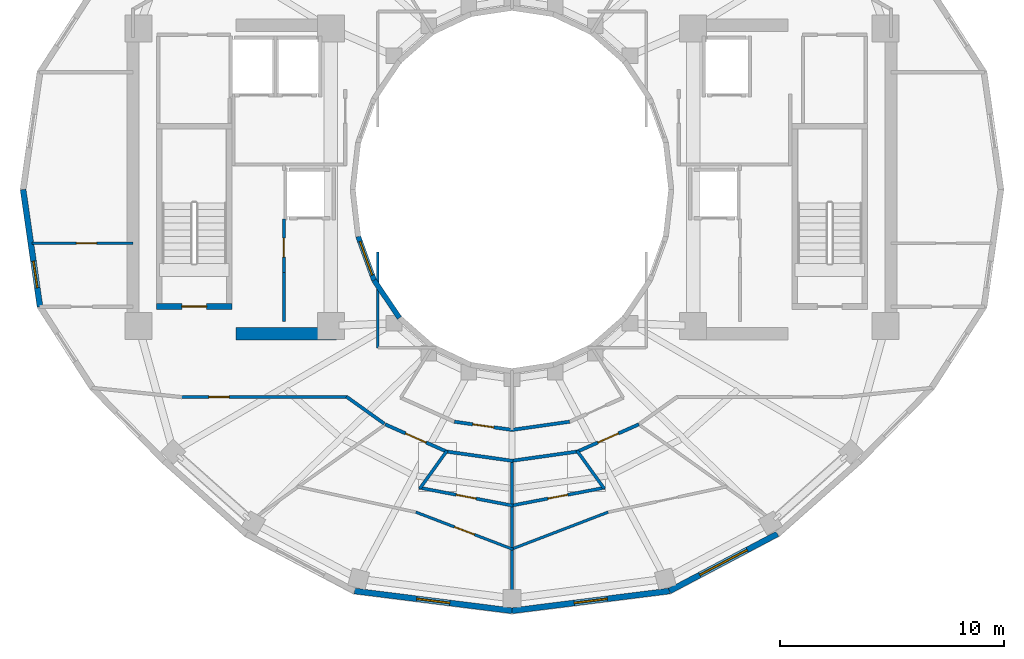
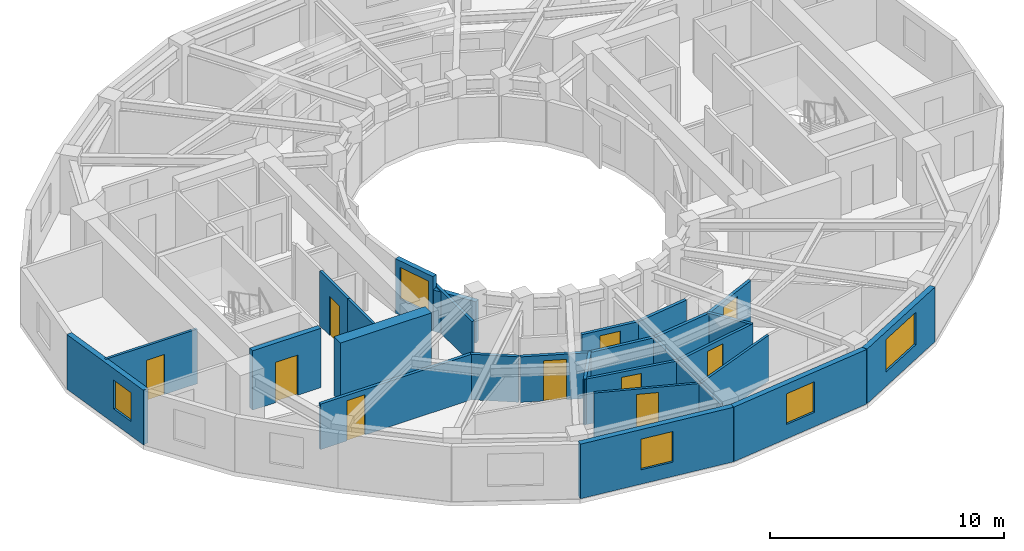
# One storey, part 3 of 9: 27 walls, 10 doors, 5 windows, 15 openings.
"""IFC4 building model written with IfcOpenShell, lengths in metres."""

from ifc_helpers import new_model, si_unit, direction, frame, frame_2d, origin, place, context, subcontext, project, spatial, rectangle, extrude, material, layer, layer_set, type_object, element, fill, save


model = new_model("IFC4")

# Units and contexts
model_context = context("Model", 3, precision=1e-05, world=origin(), true_north=direction((0.0, 1.0)))
body_context = subcontext(model_context, "Body", "Model", "MODEL_VIEW")
ifc_project = project(units=[si_unit("LENGTHUNIT", "METRE"), si_unit("AREAUNIT", "SQUARE_METRE"), si_unit("VOLUMEUNIT", "CUBIC_METRE"), si_unit("PLANEANGLEUNIT", "RADIAN"), si_unit("MASSUNIT", "GRAM", prefix="KILO")], contexts=[model_context])

# Site, building, storey
site_placement = place(None, origin())
site = spatial("IfcSite", under=ifc_project, at=site_placement, CompositionType="ELEMENT")
building_placement = place(site_placement, origin())
building = spatial("IfcBuilding", under=site, at=building_placement, Name="Solvane Sanctuary Tower", CompositionType="ELEMENT")
storey_placement = place(building_placement, frame((0.0, 0.0, 223.300048828125)))
storey = spatial("IfcBuildingStorey", under=building, at=storey_placement, Name="L68", CompositionType="ELEMENT", Elevation=223.300048828125)

# Wall
ifc_material_1 = material(Name="Concrete C50/60", Category="concrete")
ifc_layer_1 = layer(ifc_material_1, 0.550048828125, Name="Concrete C50/60")
ifc_layer_set_1 = layer_set([ifc_layer_1], Name="Concrete C50/60")
wall_type_1 = type_object("IfcWallType", Name="Wall W-CORE-550", PredefinedType="SHEAR", material=ifc_layer_set_1)
wall_1_placement = place(storey_placement, frame((19.64990234375, 16.550048828125, 0.0), z_axis=(0.0, 0.0, 1.0), x_axis=(1.0, 0.0, 0.0)))
element("IfcWall", 1, at=wall_1_placement, inside=storey, type_object=wall_type_1, Name="L68 Core Shear Wall WC-S", PredefinedType="SHEAR", context=body_context, shape_type="SweptSolid", body=[
    extrude(rectangle(XDim=4.5, YDim=0.550048828125, at=frame_2d((2.25, 0.0))), origin(), (0.0, 0.0, 1.0), 3.099853515625),
])

# Wall, opening, door
ifc_material_2 = material(Name="Acoustic Gypsum Partition Board")
ifc_layer_2 = layer(ifc_material_2, 0.14990234375, Name="Acoustic Gypsum Partition Board")
ifc_layer_set_2 = layer_set([ifc_layer_2], Name="Acoustic Gypsum Partition Board")
wall_type_2 = type_object("IfcWallType", Name="Wall W-CORR-150", PredefinedType="PARTITIONING", material=ifc_layer_set_2)
wall_2_placement = place(storey_placement, frame((29.423095703125, 12.61669921875, 0.0), z_axis=(0.0, 0.0, 1.0), x_axis=(0.990078185178, -0.140517569133, 0.0)))
wall_2 = element("IfcWall", 2, at=wall_2_placement, inside=storey, type_object=wall_type_2, Name="L68 South Light-Well Corridor Wall 1", PredefinedType="PARTITIONING", context=body_context, shape_type="SweptSolid", body=[
    extrude(rectangle(XDim=2.609619140625, YDim=0.14990234375, at=frame_2d((1.3046875, 0.0))), origin(), (0.0, 0.0, 1.0), 2.3759765625),
])
opening_1_placement = place(wall_2_placement, frame((0.829833984375, 0.0, 0.0)))
opening_1 = element("IfcOpeningElement", 3, at=opening_1_placement, cuts=wall_2, Name="Opening D-L68-11", PredefinedType="OPENING", context=body_context, shape_type="SweptSolid", body=[
    extrude(rectangle(XDim=0.949951171875, YDim=2.10009765625, at=frame_2d((0.47509765625, 1.050048828125))), frame((0.0, 0.0849609375, 0.0), z_axis=(0.0, -1.0, 0.0), x_axis=(1.0, 0.0, 0.0)), (0.0, 0.0, 1.0), 0.169921875),
])
ifc_material_3 = material(Name="Engineered Tropical Hardwood", Category="wood")
door_type_1 = type_object("IfcDoorType", Name="Door D-ROOM-950", OperationType="NOTDEFINED", PredefinedType="DOOR", material=ifc_material_3)
door_1_placement = place(opening_1_placement, origin())
door_1 = element("IfcDoor", 4, at=door_1_placement, inside=storey, type_object=door_type_1, Name="L68 South Light-Well Alcove Door 1", OperationType="SINGLE_SWING_RIGHT", OverallHeight=2.10009765625, OverallWidth=0.949951171875, PredefinedType="DOOR", context=body_context, shape_type="SweptSolid", body=[
    extrude(rectangle(XDim=0.949951171875, YDim=2.10009765625, at=frame_2d((0.47509765625, 1.050048828125))), frame((0.0, 0.02490234375, 0.0), z_axis=(0.0, -1.0, 0.0), x_axis=(1.0, 0.0, 0.0)), (0.0, 0.0, 1.0), 0.050048828125),
])
fill(opening_1, door_1)

# Walls
wall_3_placement = place(storey_placement, frame((31.9931640625, 12.25, 0.0), z_axis=(0.0, 0.0, 1.0), x_axis=(0.990078185178, 0.140517569133, 0.0)))
element("IfcWall", 5, at=wall_3_placement, inside=storey, type_object=wall_type_2, Name="L68 South Light-Well Corridor Wall 2", PredefinedType="PARTITIONING", context=body_context, shape_type="SweptSolid", body=[
    extrude(rectangle(XDim=2.609619140625, YDim=0.14990234375, at=frame_2d((1.3046875, 0.0))), origin(), (0.0, 0.0, 1.0), 2.3759765625),
])
wall_4_placement = place(storey_placement, frame((26.290283203125, 12.527099609375, 0.0), z_axis=(0.0, 0.0, 1.0), x_axis=(-0.813780999276, 0.581171648669, 0.0)))
element("IfcWall", 6, at=wall_4_placement, inside=storey, type_object=wall_type_2, Name="L68 SW Corner Throat Wall", PredefinedType="PARTITIONING", context=body_context, shape_type="SweptSolid", body=[
    extrude(rectangle(XDim=2.082275390625, YDim=0.14990234375, at=frame_2d((1.041015625, 0.0))), origin(), (0.0, 0.0, 1.0), 2.3759765625),
])

# Wall, opening, door
wall_5_placement = place(storey_placement, frame((17.14990234375, 13.719970703125, 0.0), z_axis=(0.0, 0.0, 1.0), x_axis=(1.0, 0.0, 0.0)))
wall_5 = element("IfcWall", 7, at=wall_5_placement, inside=storey, type_object=wall_type_2, Name="L68 SW Corner Corridor Wall", PredefinedType="PARTITIONING", context=body_context, shape_type="SweptSolid", body=[
    extrude(rectangle(XDim=7.52001953125, YDim=0.14990234375, at=frame_2d((3.760009765625, 0.0))), origin(), (0.0, 0.0, 1.0), 2.3759765625),
])
opening_2_placement = place(wall_5_placement, frame((1.300048828125, 0.0, 0.0)))
opening_2 = element("IfcOpeningElement", 8, at=opening_2_placement, cuts=wall_5, Name="Opening D-L68-20", PredefinedType="OPENING", context=body_context, shape_type="SweptSolid", body=[
    extrude(rectangle(XDim=0.89990234375, YDim=2.10009765625, at=frame_2d((0.449951171875, 1.050048828125))), frame((0.0, 0.0849609375, 0.0), z_axis=(0.0, -1.0, 0.0), x_axis=(1.0, 0.0, 0.0)), (0.0, 0.0, 1.0), 0.169921875),
])
door_type_2 = type_object("IfcDoorType", Name="Door D-WET-900", OperationType="NOTDEFINED", PredefinedType="DOOR", material=ifc_material_3)
door_2_placement = place(opening_2_placement, origin())
door_2 = element("IfcDoor", 9, at=door_2_placement, inside=storey, type_object=door_type_2, Name="L68 SW Corner Salon Door", OperationType="SINGLE_SWING_LEFT", OverallHeight=2.10009765625, OverallWidth=0.89990234375, PredefinedType="DOOR", context=body_context, shape_type="SweptSolid", body=[
    extrude(rectangle(XDim=0.89990234375, YDim=2.10009765625, at=frame_2d((0.449951171875, 1.050048828125))), frame((0.0, 0.02490234375, 0.0), z_axis=(0.0, -1.0, 0.0), x_axis=(1.0, 0.0, 0.0)), (0.0, 0.0, 1.0), 0.050048828125),
])
fill(opening_2, door_2)

# Wall
wall_6_placement = place(storey_placement, frame((29.01806640625, 11.290283203125, 0.0), z_axis=(0.0, 0.0, 1.0), x_axis=(0.990214091671, -0.13955662885, 0.0)))
element("IfcWall", 10, at=wall_6_placement, inside=storey, type_object=wall_type_2, Name="L68 En-suite Inner Wall S1", PredefinedType="PARTITIONING", context=body_context, shape_type="SweptSolid", body=[
    extrude(rectangle(XDim=3.0615234375, YDim=0.14990234375, at=frame_2d((1.53076171875, 0.0))), origin(), (0.0, 0.0, 1.0), 2.3759765625),
])

# Wall, opening, door
wall_7_placement = place(storey_placement, frame((26.328125, 12.499267578125, 0.0), z_axis=(0.0, 0.0, 1.0), x_axis=(0.914139569865, -0.405399613724, 0.0)))
wall_7 = element("IfcWall", 11, at=wall_7_placement, inside=storey, type_object=wall_type_2, Name="L68 Unit Corridor Wall S1", PredefinedType="PARTITIONING", context=body_context, shape_type="SweptSolid", body=[
    extrude(rectangle(XDim=3.005126953125, YDim=0.14990234375, at=frame_2d((1.50244140625, 0.0))), origin(), (0.0, 0.0, 1.0), 2.3759765625),
])
opening_3_placement = place(wall_7_placement, frame((1.00244140625, 0.0, 0.0)))
opening_3 = element("IfcOpeningElement", 12, at=opening_3_placement, cuts=wall_7, Name="Opening D-L68-29", PredefinedType="OPENING", context=body_context, shape_type="SweptSolid", body=[
    extrude(rectangle(XDim=1.0, YDim=2.10009765625, at=frame_2d((0.5, 1.050048828125))), frame((0.0, 0.0849609375, 0.0), z_axis=(0.0, -1.0, 0.0), x_axis=(1.0, 0.0, 0.0)), (0.0, 0.0, 1.0), 0.169921875),
])
door_type_3 = type_object("IfcDoorType", Name="Door D-UNIT", OperationType="NOTDEFINED", PredefinedType="DOOR", material=ifc_material_3)
door_3_placement = place(opening_3_placement, origin())
door_3 = element("IfcDoor", 13, at=door_3_placement, inside=storey, type_object=door_type_3, Name="L68 Unit Entrance Door S1", OperationType="SINGLE_SWING_RIGHT", OverallHeight=2.10009765625, OverallWidth=1.0, PredefinedType="DOOR", context=body_context, shape_type="SweptSolid", body=[
    extrude(rectangle(XDim=1.0, YDim=2.10009765625, at=frame_2d((0.5, 1.050048828125))), frame((0.0, 0.02490234375, 0.0), z_axis=(0.0, -1.0, 0.0), x_axis=(1.0, 0.0, 0.0)), (0.0, 0.0, 1.0), 0.050048828125),
])
fill(opening_3, door_3)

# Wall
wall_8_placement = place(storey_placement, frame((31.950439453125, 10.863037109375, 0.0), z_axis=(0.0, 0.0, 1.0), x_axis=(0.990214091671, 0.13955662885, 0.0)))
element("IfcWall", 14, at=wall_8_placement, inside=storey, type_object=wall_type_2, Name="L68 En-suite Inner Wall S2", PredefinedType="PARTITIONING", context=body_context, shape_type="SweptSolid", body=[
    extrude(rectangle(XDim=3.0615234375, YDim=0.14990234375, at=frame_2d((1.53076171875, 0.0))), origin(), (0.0, 0.0, 1.0), 2.3759765625),
])

# Wall, opening, door
wall_9_placement = place(storey_placement, frame((34.9248046875, 11.281005859375, 0.0), z_axis=(0.0, 0.0, 1.0), x_axis=(0.914139569865, 0.405399613724, 0.0)))
wall_9 = element("IfcWall", 15, at=wall_9_placement, inside=storey, type_object=wall_type_2, Name="L68 Unit Corridor Wall S2", PredefinedType="PARTITIONING", context=body_context, shape_type="SweptSolid", body=[
    extrude(rectangle(XDim=3.005126953125, YDim=0.14990234375, at=frame_2d((1.50244140625, 0.0))), origin(), (0.0, 0.0, 1.0), 2.3759765625),
])
opening_4_placement = place(wall_9_placement, frame((1.00244140625, 0.0, 0.0)))
opening_4 = element("IfcOpeningElement", 16, at=opening_4_placement, cuts=wall_9, Name="Opening D-L68-32", PredefinedType="OPENING", context=body_context, shape_type="SweptSolid", body=[
    extrude(rectangle(XDim=1.0, YDim=2.10009765625, at=frame_2d((0.5, 1.050048828125))), frame((0.0, 0.0849609375, 0.0), z_axis=(0.0, -1.0, 0.0), x_axis=(1.0, 0.0, 0.0)), (0.0, 0.0, 1.0), 0.169921875),
])
door_4_placement = place(opening_4_placement, origin())
door_4 = element("IfcDoor", 17, at=door_4_placement, inside=storey, type_object=door_type_3, Name="L68 Unit Entrance Door S2", OperationType="SINGLE_SWING_LEFT", OverallHeight=2.10009765625, OverallWidth=1.0, PredefinedType="DOOR", context=body_context, shape_type="SweptSolid", body=[
    extrude(rectangle(XDim=1.0, YDim=2.10009765625, at=frame_2d((0.5, 1.050048828125))), frame((0.0, 0.02490234375, 0.0), z_axis=(0.0, -1.0, 0.0), x_axis=(1.0, 0.0, 0.0)), (0.0, 0.0, 1.0), 0.050048828125),
])
fill(opening_4, door_4)

# Wall, opening, window
ifc_material_4 = material(Name="Precast concrete C40/50", Category="concrete")
ifc_layer_3 = layer(ifc_material_4, 0.260009765625, Name="Precast concrete C40/50")
ifc_layer_set_3 = layer_set([ifc_layer_3], Name="Precast concrete C40/50")
wall_type_3 = type_object("IfcWallType", Name="Wall W-EXT-250", PredefinedType="STANDARD", material=ifc_layer_set_3)
wall_10_placement = place(storey_placement, frame((10.139892578125, 23.0, 0.0), z_axis=(0.0, 0.0, 1.0), x_axis=(0.142712754019, -0.989764148593, 0.0)))
wall_10 = element("IfcWall", 18, at=wall_10_placement, inside=storey, type_object=wall_type_3, Name="L68 Ceramic-Printed Facade Wall 12", PredefinedType="STANDARD", context=body_context, shape_type="SweptSolid", body=[
    extrude(rectangle(XDim=5.29296875, YDim=0.260009765625, at=frame_2d((2.646484375, 0.0))), origin(), (0.0, 0.0, 1.0), 2.849853515625),
])
opening_5_placement = place(wall_10_placement, frame((3.23388671875, 0.0, 0.75)))
opening_5 = element("IfcOpeningElement", 19, at=opening_5_placement, cuts=wall_10, Name="Opening WN-OPER-1200", PredefinedType="OPENING", context=body_context, shape_type="SweptSolid", body=[
    extrude(rectangle(XDim=1.199951171875, YDim=1.5, at=frame_2d((0.60009765625, 0.75))), frame((0.0, 0.139892578125, 0.0), z_axis=(0.0, -1.0, 0.0), x_axis=(1.0, 0.0, 0.0)), (0.0, 0.0, 1.0), 0.280029296875),
])
ifc_material_5 = material(Name="Dark Ceramic-Fritted Low-E Glass", Category="glass")
window_type_1 = type_object("IfcWindowType", Name="Window WN-OPER-1200", PartitioningType="SINGLE_PANEL", PredefinedType="WINDOW", material=ifc_material_5)
window_1_placement = place(opening_5_placement, origin())
window_1 = element("IfcWindow", 20, at=window_1_placement, inside=storey, type_object=window_type_1, Name="L68 Operable Facade Window 12", OverallHeight=1.5, OverallWidth=1.199951171875, PartitioningType="SINGLE_PANEL", PredefinedType="WINDOW", context=body_context, shape_type="SweptSolid", body=[
    extrude(rectangle(XDim=1.199951171875, YDim=1.5, at=frame_2d((0.60009765625, 0.75))), frame((0.0, 0.030029296875, 0.0), z_axis=(0.0, -1.0, 0.0), x_axis=(1.0, 0.0, 0.0)), (0.0, 0.0, 1.0), 0.06005859375),
])
fill(opening_5, window_1)

wall_11_placement = place(storey_placement, frame((24.95703125, 5.048095703125, 0.0), z_axis=(0.0, 0.0, 1.0), x_axis=(0.992180211307, -0.124813574142, 0.0)))
wall_11 = element("IfcWall", 21, at=wall_11_placement, inside=storey, type_object=wall_type_3, Name="L68 Ceramic-Printed Facade Wall 17", PredefinedType="STANDARD", context=body_context, shape_type="SweptSolid", body=[
    extrude(rectangle(XDim=7.098388671875, YDim=0.260009765625, at=frame_2d((3.54931640625, 0.0))), origin(), (0.0, 0.0, 1.0), 2.849853515625),
])
opening_6_placement = place(wall_11_placement, frame((2.79931640625, 0.0, 0.75)))
opening_6 = element("IfcOpeningElement", 22, at=opening_6_placement, cuts=wall_11, Name="Opening WN-OPER-1500", PredefinedType="OPENING", context=body_context, shape_type="SweptSolid", body=[
    extrude(rectangle(XDim=1.5, YDim=1.60009765625, at=frame_2d((0.75, 0.800048828125))), frame((0.0, 0.139892578125, 0.0), z_axis=(0.0, -1.0, 0.0), x_axis=(1.0, 0.0, 0.0)), (0.0, 0.0, 1.0), 0.280029296875),
])
window_type_2 = type_object("IfcWindowType", Name="Window WN-OPER-1500", PartitioningType="SINGLE_PANEL", PredefinedType="WINDOW", material=ifc_material_5)
window_2_placement = place(opening_6_placement, origin())
window_2 = element("IfcWindow", 23, at=window_2_placement, inside=storey, type_object=window_type_2, Name="L68 Operable Facade Window 17", OverallHeight=1.60009765625, OverallWidth=1.5, PartitioningType="SINGLE_PANEL", PredefinedType="WINDOW", context=body_context, shape_type="SweptSolid", body=[
    extrude(rectangle(XDim=1.5, YDim=1.60009765625, at=frame_2d((0.75, 0.800048828125))), frame((0.0, 0.030029296875, 0.0), z_axis=(0.0, -1.0, 0.0), x_axis=(1.0, 0.0, 0.0)), (0.0, 0.0, 1.0), 0.06005859375),
])
fill(opening_6, window_2)

wall_12_placement = place(storey_placement, frame((32.0, 4.162109375, 0.0), z_axis=(0.0, 0.0, 1.0), x_axis=(0.992180211307, 0.124813574142, 0.0)))
wall_12 = element("IfcWall", 24, at=wall_12_placement, inside=storey, type_object=wall_type_3, Name="L68 Ceramic-Printed Facade Wall 18", PredefinedType="STANDARD", context=body_context, shape_type="SweptSolid", body=[
    extrude(rectangle(XDim=7.098388671875, YDim=0.260009765625, at=frame_2d((3.54931640625, 0.0))), origin(), (0.0, 0.0, 1.0), 2.849853515625),
])
opening_7_placement = place(wall_12_placement, frame((2.79931640625, 0.0, 0.75)))
opening_7 = element("IfcOpeningElement", 25, at=opening_7_placement, cuts=wall_12, Name="Opening WN-OPER-1500", PredefinedType="OPENING", context=body_context, shape_type="SweptSolid", body=[
    extrude(rectangle(XDim=1.5, YDim=1.60009765625, at=frame_2d((0.75, 0.800048828125))), frame((0.0, 0.139892578125, 0.0), z_axis=(0.0, -1.0, 0.0), x_axis=(1.0, 0.0, 0.0)), (0.0, 0.0, 1.0), 0.280029296875),
])
window_3_placement = place(opening_7_placement, origin())
window_3 = element("IfcWindow", 26, at=window_3_placement, inside=storey, type_object=window_type_2, Name="L68 Operable Facade Window 18", OverallHeight=1.60009765625, OverallWidth=1.5, PartitioningType="SINGLE_PANEL", PredefinedType="WINDOW", context=body_context, shape_type="SweptSolid", body=[
    extrude(rectangle(XDim=1.5, YDim=1.60009765625, at=frame_2d((0.75, 0.800048828125))), frame((0.0, 0.030029296875, 0.0), z_axis=(0.0, -1.0, 0.0), x_axis=(1.0, 0.0, 0.0)), (0.0, 0.0, 1.0), 0.06005859375),
])
fill(opening_7, window_3)

wall_13_placement = place(storey_placement, frame((39.04296875, 5.048095703125, 0.0), z_axis=(0.0, 0.0, 1.0), x_axis=(0.884000981341, 0.46748504253, 0.0)))
wall_13 = element("IfcWall", 27, at=wall_13_placement, inside=storey, type_object=wall_type_3, Name="L68 Ceramic-Printed Facade Wall 19", PredefinedType="STANDARD", context=body_context, shape_type="SweptSolid", body=[
    extrude(rectangle(XDim=5.46044921875, YDim=0.260009765625, at=frame_2d((2.730224609375, 0.0))), origin(), (0.0, 0.0, 1.0), 2.849853515625),
])
opening_8_placement = place(wall_13_placement, frame((1.5302734375, 0.0, 0.75)))
opening_8 = element("IfcOpeningElement", 28, at=opening_8_placement, cuts=wall_13, Name="Opening WN-RIB-2400", PredefinedType="OPENING", context=body_context, shape_type="SweptSolid", body=[
    extrude(rectangle(XDim=2.39990234375, YDim=1.699951171875, at=frame_2d((1.199951171875, 0.85009765625))), frame((0.0, 0.139892578125, 0.0), z_axis=(0.0, -1.0, 0.0), x_axis=(1.0, 0.0, 0.0)), (0.0, 0.0, 1.0), 0.280029296875),
])
window_type_3 = type_object("IfcWindowType", Name="Window WN-RIB-2400", PartitioningType="SINGLE_PANEL", PredefinedType="WINDOW", material=ifc_material_5)
window_4_placement = place(opening_8_placement, origin())
window_4 = element("IfcWindow", 29, at=window_4_placement, inside=storey, type_object=window_type_3, Name="L68 Operable Facade Window 19", OverallHeight=1.699951171875, OverallWidth=2.39990234375, PartitioningType="SINGLE_PANEL", PredefinedType="WINDOW", context=body_context, shape_type="SweptSolid", body=[
    extrude(rectangle(XDim=2.39990234375, YDim=1.699951171875, at=frame_2d((1.199951171875, 0.85009765625))), frame((0.0, 0.030029296875, 0.0), z_axis=(0.0, -1.0, 0.0), x_axis=(1.0, 0.0, 0.0)), (0.0, 0.0, 1.0), 0.06005859375),
])
fill(opening_8, window_4)

ifc_layer_4 = layer(ifc_material_4, 0.22998046875, Name="Precast concrete C40/50")
ifc_layer_set_4 = layer_set([ifc_layer_4], Name="Precast concrete C40/50")
wall_type_4 = type_object("IfcWallType", Name="Wall W-EXT-SP220", PredefinedType="STANDARD", material=ifc_layer_set_4)
wall_14_placement = place(storey_placement, frame((25.12255859375, 20.8984375, 0.0), z_axis=(0.0, 0.0, 1.0), x_axis=(0.341423187295, -0.93990968033, 0.0)))
wall_14 = element("IfcWall", 30, at=wall_14_placement, inside=storey, type_object=wall_type_4, Name="L68 Central Light-Well Wall 13", PredefinedType="STANDARD", context=body_context, shape_type="SweptSolid", body=[
    extrude(rectangle(XDim=2.083740234375, YDim=0.22998046875, at=frame_2d((1.0419921875, 0.0))), origin(), (0.0, 0.0, 1.0), 2.83984375),
])
opening_9_placement = place(wall_14_placement, frame((0.24169921875, 0.0, 0.85009765625)))
opening_9 = element("IfcOpeningElement", 31, at=opening_9_placement, cuts=wall_14, Name="Opening WN-WELL-1600", PredefinedType="OPENING", context=body_context, shape_type="SweptSolid", body=[
    extrude(rectangle(XDim=1.60009765625, YDim=1.64990234375, at=frame_2d((0.800048828125, 0.824951171875))), frame((0.0, 0.125, 0.0), z_axis=(0.0, -1.0, 0.0), x_axis=(1.0, 0.0, 0.0)), (0.0, 0.0, 1.0), 0.25),
])
ifc_material_6 = material(Name="Clear Laminated Light-Well Glass", Category="glass")
window_type_4 = type_object("IfcWindowType", Name="Window WN-WELL-1600", PartitioningType="SINGLE_PANEL", PredefinedType="WINDOW", material=ifc_material_6)
window_5_placement = place(opening_9_placement, origin())
window_5 = element("IfcWindow", 32, at=window_5_placement, inside=storey, type_object=window_type_4, Name="L68 Light-Well Daylight Window 13", OverallHeight=1.64990234375, OverallWidth=1.60009765625, PartitioningType="SINGLE_PANEL", PredefinedType="WINDOW", context=body_context, shape_type="SweptSolid", body=[
    extrude(rectangle(XDim=1.60009765625, YDim=1.64990234375, at=frame_2d((0.800048828125, 0.824951171875))), frame((0.0, 0.030029296875, 0.0), z_axis=(0.0, -1.0, 0.0), x_axis=(1.0, 0.0, 0.0)), (0.0, 0.0, 1.0), 0.06005859375),
])
fill(opening_9, window_5)

# Wall
wall_15_placement = place(storey_placement, frame((25.833984375, 18.93994140625, 0.0), z_axis=(0.0, 0.0, 1.0), x_axis=(0.558197800898, -0.829707909492, 0.0)))
element("IfcWall", 33, at=wall_15_placement, inside=storey, type_object=wall_type_4, Name="L68 Central Light-Well Wall 14", PredefinedType="STANDARD", context=body_context, shape_type="SweptSolid", body=[
    extrude(rectangle(XDim=2.02685546875, YDim=0.22998046875, at=frame_2d((1.013427734375, 0.0))), origin(), (0.0, 0.0, 1.0), 2.159912109375),
])

# Wall, opening, door
ifc_layer_5 = layer(ifc_material_2, 0.1201171875, Name="Acoustic Gypsum Partition Board")
ifc_layer_set_5 = layer_set([ifc_layer_5], Name="Acoustic Gypsum Partition Board")
wall_type_5 = type_object("IfcWallType", Name="Wall W-MOV-100", PredefinedType="MOVABLE", material=ifc_layer_set_5)
wall_16_placement = place(storey_placement, frame((10.525634765625, 20.60009765625, 0.0), z_axis=(0.0, 0.0, 1.0), x_axis=(1.0, 0.0, 0.0)))
wall_16 = element("IfcWall", 34, at=wall_16_placement, inside=storey, type_object=wall_type_5, Name="L68 West Suite Partition", PredefinedType="MOVABLE", context=body_context, shape_type="SweptSolid", body=[
    extrude(rectangle(XDim=4.5244140625, YDim=0.1201171875, at=frame_2d((2.26220703125, 0.0))), origin(), (0.0, 0.0, 1.0), 2.85498046875),
])
opening_10_placement = place(wall_16_placement, frame((2.0, 0.0, 0.0)))
opening_10 = element("IfcOpeningElement", 35, at=opening_10_placement, cuts=wall_16, Name="Opening D-L68-16", PredefinedType="OPENING", context=body_context, shape_type="SweptSolid", body=[
    extrude(rectangle(XDim=0.89990234375, YDim=2.10009765625, at=frame_2d((0.449951171875, 1.050048828125))), frame((0.0, 0.070068359375, 0.0), z_axis=(0.0, -1.0, 0.0), x_axis=(1.0, 0.0, 0.0)), (0.0, 0.0, 1.0), 0.14013671875),
])
door_5_placement = place(opening_10_placement, origin())
door_5 = element("IfcDoor", 36, at=door_5_placement, inside=storey, type_object=door_type_2, Name="L68 West Suite Internal Door", OperationType="SINGLE_SWING_LEFT", OverallHeight=2.10009765625, OverallWidth=0.89990234375, PredefinedType="DOOR", context=body_context, shape_type="SweptSolid", body=[
    extrude(rectangle(XDim=0.89990234375, YDim=2.10009765625, at=frame_2d((0.449951171875, 1.050048828125))), frame((0.0, 0.02490234375, 0.0), z_axis=(0.0, -1.0, 0.0), x_axis=(1.0, 0.0, 0.0)), (0.0, 0.0, 1.0), 0.050048828125),
])
fill(opening_10, door_5)

wall_17_placement = place(storey_placement, frame((27.70166015625, 8.5732421875, 0.0), z_axis=(0.0, 0.0, 1.0), x_axis=(0.933766866443, -0.357881878744, 0.0)))
wall_17 = element("IfcWall", 37, at=wall_17_placement, inside=storey, type_object=wall_type_5, Name="L68 Suite Sitting Lounge Partition S1", PredefinedType="MOVABLE", context=body_context, shape_type="SweptSolid", body=[
    extrude(rectangle(XDim=4.653076171875, YDim=0.1201171875, at=frame_2d((2.32666015625, 0.0))), origin(), (0.0, 0.0, 1.0), 2.3759765625),
])
opening_11_placement = place(wall_17_placement, frame((1.8515625, 0.0, 0.0)))
opening_11 = element("IfcOpeningElement", 38, at=opening_11_placement, cuts=wall_17, Name="Opening D-L68-27", PredefinedType="OPENING", context=body_context, shape_type="SweptSolid", body=[
    extrude(rectangle(XDim=0.949951171875, YDim=2.10009765625, at=frame_2d((0.47509765625, 1.050048828125))), frame((0.0, 0.070068359375, 0.0), z_axis=(0.0, -1.0, 0.0), x_axis=(1.0, 0.0, 0.0)), (0.0, 0.0, 1.0), 0.14013671875),
])
door_6_placement = place(opening_11_placement, origin())
door_6 = element("IfcDoor", 39, at=door_6_placement, inside=storey, type_object=door_type_1, Name="L68 Suite Sitting Lounge Door S1", OperationType="SINGLE_SWING_RIGHT", OverallHeight=2.10009765625, OverallWidth=0.949951171875, PredefinedType="DOOR", context=body_context, shape_type="SweptSolid", body=[
    extrude(rectangle(XDim=0.949951171875, YDim=2.10009765625, at=frame_2d((0.47509765625, 1.050048828125))), frame((0.0, 0.02490234375, 0.0), z_axis=(0.0, -1.0, 0.0), x_axis=(1.0, 0.0, 0.0)), (0.0, 0.0, 1.0), 0.050048828125),
])
fill(opening_11, door_6)

# Wall
wall_18_placement = place(storey_placement, frame((31.953369140625, 6.907958984375, 0.0), z_axis=(0.0, 0.0, 1.0), x_axis=(0.933766866443, 0.357881878744, 0.0)))
element("IfcWall", 40, at=wall_18_placement, inside=storey, type_object=wall_type_5, Name="L68 Suite Sitting Lounge Partition S2", PredefinedType="MOVABLE", context=body_context, shape_type="SweptSolid", body=[
    extrude(rectangle(XDim=4.653076171875, YDim=0.1201171875, at=frame_2d((2.32666015625, 0.0))), origin(), (0.0, 0.0, 1.0), 2.3759765625),
])

# Wall, opening, door
ifc_layer_6 = layer(ifc_material_2, 0.125, Name="Acoustic Gypsum Partition Board")
ifc_layer_set_6 = layer_set([ifc_layer_6], Name="Acoustic Gypsum Partition Board")
wall_type_6 = type_object("IfcWallType", Name="Wall W-PART-125", PredefinedType="PARTITIONING", material=ifc_layer_set_6)
wall_19_placement = place(storey_placement, frame((21.800048828125, 19.280029296875, 0.0), z_axis=(0.0, 0.0, 1.0), x_axis=(0.0, 1.0, 0.0)))
wall_19 = element("IfcWall", 41, at=wall_19_placement, inside=storey, type_object=wall_type_6, Name="L68 Reclaimed Room Partition PMW", PredefinedType="PARTITIONING", context=body_context, shape_type="SweptSolid", body=[
    extrude(rectangle(XDim=2.39990234375, YDim=0.125, at=frame_2d((1.199951171875, 0.0))), origin(), (0.0, 0.0, 1.0), 2.85498046875),
])
opening_12_placement = place(wall_19_placement, frame((0.699951171875, 0.0, 0.0)))
opening_12 = element("IfcOpeningElement", 42, at=opening_12_placement, cuts=wall_19, Name="Opening D-L68-05", PredefinedType="OPENING", context=body_context, shape_type="SweptSolid", body=[
    extrude(rectangle(XDim=0.85009765625, YDim=2.050048828125, at=frame_2d((0.425048828125, 1.02490234375))), frame((0.0, 0.072509765625, 0.0), z_axis=(0.0, -1.0, 0.0), x_axis=(1.0, 0.0, 0.0)), (0.0, 0.0, 1.0), 0.14501953125),
])
ifc_material_7 = material(Name="Architectural Stainless Steel 316", Category="steel")
door_type_4 = type_object("IfcDoorType", Name="Door D-RISER", OperationType="NOTDEFINED", PredefinedType="DOOR", material=ifc_material_7)
door_7_placement = place(opening_12_placement, origin())
door_7 = element("IfcDoor", 43, at=door_7_placement, inside=storey, type_object=door_type_4, Name="L68 Reclaimed Room Door PMW-1", OperationType="SINGLE_SWING_RIGHT", OverallHeight=2.050048828125, OverallWidth=0.85009765625, PredefinedType="DOOR", context=body_context, shape_type="SweptSolid", body=[
    extrude(rectangle(XDim=0.85009765625, YDim=2.050048828125, at=frame_2d((0.425048828125, 1.02490234375))), frame((0.0, 0.02490234375, 0.0), z_axis=(0.0, -1.0, 0.0), x_axis=(1.0, 0.0, 0.0)), (0.0, 0.0, 1.0), 0.050048828125),
])
fill(opening_12, door_7)

# Walls
wall_20_placement = place(storey_placement, frame((21.800048828125, 17.10009765625, 0.0), z_axis=(0.0, 0.0, 1.0), x_axis=(0.0, 1.0, 0.0)))
element("IfcWall", 44, at=wall_20_placement, inside=storey, type_object=wall_type_6, Name="L68 Reclaimed Room Closer Wall PMW-1", PredefinedType="PARTITIONING", context=body_context, shape_type="SweptSolid", body=[
    extrude(rectangle(XDim=2.179931640625, YDim=0.125, at=frame_2d((1.08984375, 0.0))), origin(), (0.0, 0.0, 1.0), 2.85498046875),
])
wall_21_placement = place(storey_placement, frame((26.0, 15.919921875, 0.0), z_axis=(0.0, 0.0, 1.0), x_axis=(0.0, 1.0, 0.0)))
element("IfcWall", 45, at=wall_21_placement, inside=storey, type_object=wall_type_6, Name="L68 Bridge Alcove Wall 5", PredefinedType="PARTITIONING", context=body_context, shape_type="SweptSolid", body=[
    extrude(rectangle(XDim=4.280029296875, YDim=0.125, at=frame_2d((2.14013671875, 0.0))), origin(), (0.0, 0.0, 1.0), 2.23193359375),
])
wall_22_placement = place(storey_placement, frame((32.0, 10.81494140625, 0.0), z_axis=(0.0, 0.0, 1.0), x_axis=(0.0, -1.0, 0.0)))
element("IfcWall", 46, at=wall_22_placement, inside=storey, type_object=wall_type_6, Name="L68 Radial Compartment Wall 270", PredefinedType="PARTITIONING", context=body_context, shape_type="SweptSolid", body=[
    extrude(rectangle(XDim=5.71484375, YDim=0.125, at=frame_2d((2.857421875, 0.0))), origin(), (0.0, 0.0, 1.0), 2.3759765625),
])

# Wall, opening, door
ifc_layer_7 = layer(ifc_material_1, 0.25, Name="Concrete C50/60")
ifc_layer_set_7 = layer_set([ifc_layer_7], Name="Concrete C50/60")
wall_type_7 = type_object("IfcWallType", Name="Wall W-SHAFT-250", PredefinedType="SOLIDWALL", material=ifc_layer_set_7)
wall_23_placement = place(storey_placement, frame((16.10498046875, 17.77001953125, 0.0), z_axis=(0.0, 0.0, 1.0), x_axis=(1.0, 0.0, 0.0)))
wall_23 = element("IfcWall", 47, at=wall_23_placement, inside=storey, type_object=wall_type_7, Name="L68 ST-1 Load-Bearing Shaft Wall S", PredefinedType="SOLIDWALL", context=body_context, shape_type="SweptSolid", body=[
    extrude(rectangle(XDim=3.3701171875, YDim=0.25, at=frame_2d((1.68505859375, 0.0))), origin(), (0.0, 0.0, 1.0), 3.099853515625),
])
opening_13_placement = place(wall_23_placement, frame((1.135009765625, 0.0, 0.0)))
opening_13 = element("IfcOpeningElement", 48, at=opening_13_placement, cuts=wall_23, Name="Opening D-L68-01", PredefinedType="OPENING", context=body_context, shape_type="SweptSolid", body=[
    extrude(rectangle(XDim=1.10009765625, YDim=2.10009765625, at=frame_2d((0.550048828125, 1.050048828125))), frame((0.0, 0.135009765625, 0.0), z_axis=(0.0, -1.0, 0.0), x_axis=(1.0, 0.0, 0.0)), (0.0, 0.0, 1.0), 0.27001953125),
])
door_type_5 = type_object("IfcDoorType", Name="Door D-STAIR", OperationType="NOTDEFINED", PredefinedType="DOOR", material=ifc_material_7)
door_8_placement = place(opening_13_placement, origin())
door_8 = element("IfcDoor", 49, at=door_8_placement, inside=storey, type_object=door_type_5, Name="L68 ST-1 Exit Stair Fire Door", OperationType="SINGLE_SWING_LEFT", OverallHeight=2.10009765625, OverallWidth=1.10009765625, PredefinedType="DOOR", context=body_context, shape_type="SweptSolid", body=[
    extrude(rectangle(XDim=1.10009765625, YDim=2.10009765625, at=frame_2d((0.550048828125, 1.050048828125))), frame((0.0, 0.02490234375, 0.0), z_axis=(0.0, -1.0, 0.0), x_axis=(1.0, 0.0, 0.0)), (0.0, 0.0, 1.0), 0.050048828125),
])
fill(opening_13, door_8)

# Wall
ifc_layer_8 = layer(ifc_material_2, 0.139892578125, Name="Acoustic Gypsum Partition Board")
ifc_layer_set_8 = layer_set([ifc_layer_8], Name="Acoustic Gypsum Partition Board")
wall_type_8 = type_object("IfcWallType", Name="Wall W-WET-140", PredefinedType="PLUMBINGWALL", material=ifc_layer_set_8)
wall_24_placement = place(storey_placement, frame((29.0966796875, 11.323974609375, 0.0), z_axis=(0.0, 0.0, 1.0), x_axis=(-0.583259891741, -0.812285601673, 0.0)))
element("IfcWall", 50, at=wall_24_placement, inside=storey, type_object=wall_type_8, Name="L68 En-suite Side Partition S1", PredefinedType="PLUMBINGWALL", context=body_context, shape_type="SweptSolid", body=[
    extrude(rectangle(XDim=2.10009765625, YDim=0.139892578125, at=frame_2d((1.050048828125, 0.0))), origin(), (0.0, 0.0, 1.0), 2.385009765625),
])

# Wall, opening, door
wall_25_placement = place(storey_placement, frame((27.85205078125, 9.668212890625, 0.0), z_axis=(0.0, 0.0, 1.0), x_axis=(0.98198484664, -0.188959680803, 0.0)))
wall_25 = element("IfcWall", 51, at=wall_25_placement, inside=storey, type_object=wall_type_8, Name="L68 En-suite Bedroom Wall S1", PredefinedType="PLUMBINGWALL", context=body_context, shape_type="SweptSolid", body=[
    extrude(rectangle(XDim=4.27392578125, YDim=0.139892578125, at=frame_2d((2.136962890625, 0.0))), origin(), (0.0, 0.0, 1.0), 2.3759765625),
])
opening_14_placement = place(wall_25_placement, frame((1.68701171875, 0.0, 0.0)))
opening_14 = element("IfcOpeningElement", 52, at=opening_14_placement, cuts=wall_25, Name="Opening D-L68-28", PredefinedType="OPENING", context=body_context, shape_type="SweptSolid", body=[
    extrude(rectangle(XDim=0.89990234375, YDim=2.10009765625, at=frame_2d((0.449951171875, 1.050048828125))), frame((0.0, 0.079833984375, 0.0), z_axis=(0.0, -1.0, 0.0), x_axis=(1.0, 0.0, 0.0)), (0.0, 0.0, 1.0), 0.159912109375),
])
door_9_placement = place(opening_14_placement, origin())
door_9 = element("IfcDoor", 53, at=door_9_placement, inside=storey, type_object=door_type_2, Name="L68 En-suite Bathroom Door S1", OperationType="SINGLE_SWING_LEFT", OverallHeight=2.10009765625, OverallWidth=0.89990234375, PredefinedType="DOOR", context=body_context, shape_type="SweptSolid", body=[
    extrude(rectangle(XDim=0.89990234375, YDim=2.10009765625, at=frame_2d((0.449951171875, 1.050048828125))), frame((0.0, 0.02490234375, 0.0), z_axis=(0.0, -1.0, 0.0), x_axis=(1.0, 0.0, 0.0)), (0.0, 0.0, 1.0), 0.050048828125),
])
fill(opening_14, door_9)

# Wall
wall_26_placement = place(storey_placement, frame((34.9033203125, 11.323974609375, 0.0), z_axis=(0.0, 0.0, 1.0), x_axis=(0.583259891741, -0.812285601673, 0.0)))
element("IfcWall", 54, at=wall_26_placement, inside=storey, type_object=wall_type_8, Name="L68 En-suite Side Partition S2", PredefinedType="PLUMBINGWALL", context=body_context, shape_type="SweptSolid", body=[
    extrude(rectangle(XDim=2.10009765625, YDim=0.139892578125, at=frame_2d((1.050048828125, 0.0))), origin(), (0.0, 0.0, 1.0), 2.385009765625),
])

# Wall, opening, door
wall_27_placement = place(storey_placement, frame((31.950927734375, 8.860595703125, 0.0), z_axis=(0.0, 0.0, 1.0), x_axis=(0.98198484664, 0.188959680803, 0.0)))
wall_27 = element("IfcWall", 55, at=wall_27_placement, inside=storey, type_object=wall_type_8, Name="L68 En-suite Bedroom Wall S2", PredefinedType="PLUMBINGWALL", context=body_context, shape_type="SweptSolid", body=[
    extrude(rectangle(XDim=4.27392578125, YDim=0.139892578125, at=frame_2d((2.136962890625, 0.0))), origin(), (0.0, 0.0, 1.0), 2.3759765625),
])
opening_15_placement = place(wall_27_placement, frame((1.68701171875, 0.0, 0.0)))
opening_15 = element("IfcOpeningElement", 56, at=opening_15_placement, cuts=wall_27, Name="Opening D-L68-31", PredefinedType="OPENING", context=body_context, shape_type="SweptSolid", body=[
    extrude(rectangle(XDim=0.89990234375, YDim=2.10009765625, at=frame_2d((0.449951171875, 1.050048828125))), frame((0.0, 0.079833984375, 0.0), z_axis=(0.0, -1.0, 0.0), x_axis=(1.0, 0.0, 0.0)), (0.0, 0.0, 1.0), 0.159912109375),
])
door_10_placement = place(opening_15_placement, origin())
door_10 = element("IfcDoor", 57, at=door_10_placement, inside=storey, type_object=door_type_2, Name="L68 En-suite Bathroom Door S2", OperationType="SINGLE_SWING_RIGHT", OverallHeight=2.10009765625, OverallWidth=0.89990234375, PredefinedType="DOOR", context=body_context, shape_type="SweptSolid", body=[
    extrude(rectangle(XDim=0.89990234375, YDim=2.10009765625, at=frame_2d((0.449951171875, 1.050048828125))), frame((0.0, 0.02490234375, 0.0), z_axis=(0.0, -1.0, 0.0), x_axis=(1.0, 0.0, 0.0)), (0.0, 0.0, 1.0), 0.050048828125),
])
fill(opening_15, door_10)

save(model, "model.ifc")
